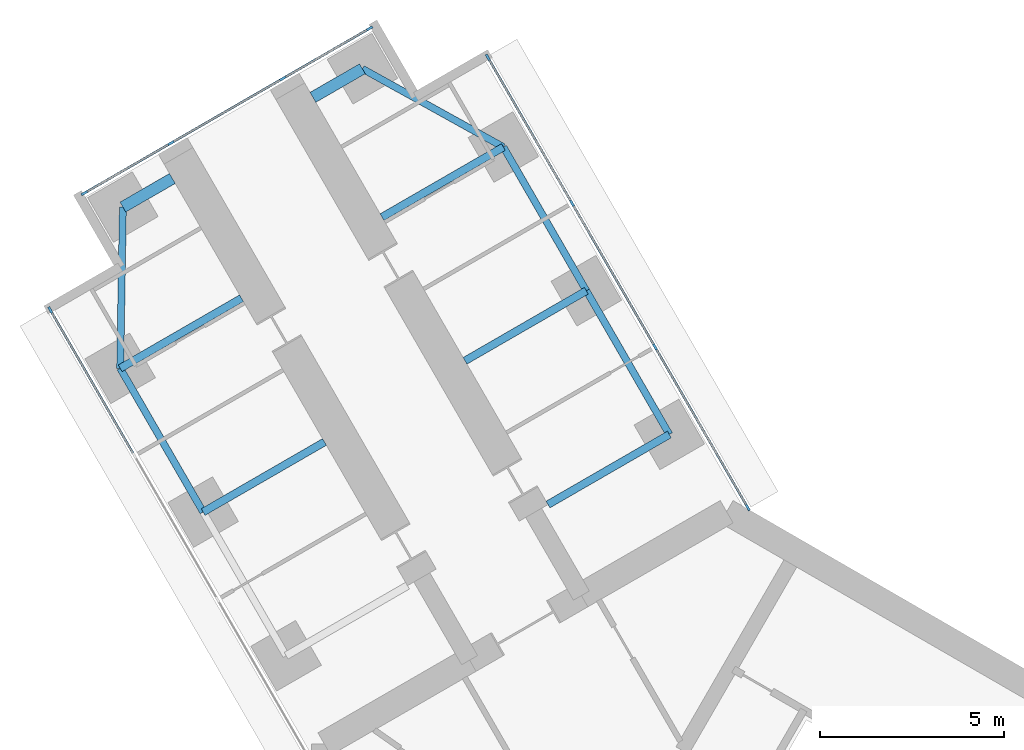
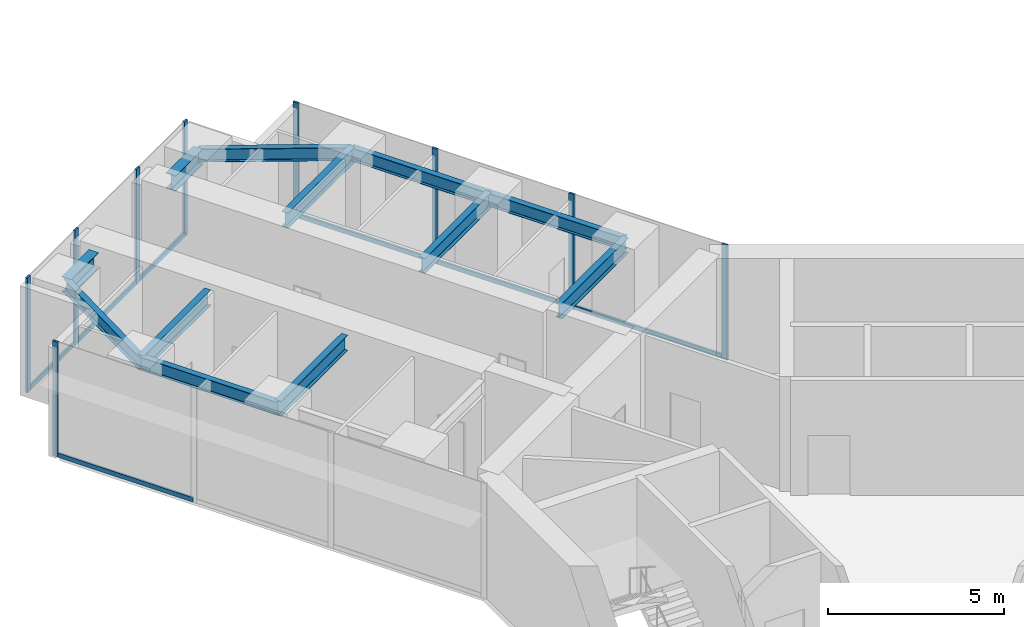
# One storey, part 7 of 25: 16 members, 12 beams, 3 elements without a shape of their own.
"""IFC4 building model written with IfcOpenShell, lengths in metres."""

from ifc_helpers import new_model, si_unit, direction, frame, origin, origin_2d, place, context, subcontext, project, spatial, rectangle, i_section, extrude, material, material_profile, profile_set, type_object, element, aggregate, save


model = new_model("IFC4")

# Units and contexts
model_context = context("Model", 3, precision=1e-05, world=origin(), true_north=direction((0.0, 1.0)))
body_context = subcontext(model_context, "Body", "Model", "MODEL_VIEW")
ifc_project = project(units=[si_unit("LENGTHUNIT", "METRE"), si_unit("AREAUNIT", "SQUARE_METRE"), si_unit("VOLUMEUNIT", "CUBIC_METRE"), si_unit("PLANEANGLEUNIT", "RADIAN"), si_unit("MASSUNIT", "GRAM", prefix="KILO")], contexts=[model_context])

# Site, building, storey
site_placement = place(None, origin())
site = spatial("IfcSite", under=ifc_project, at=site_placement, CompositionType="ELEMENT")
building_placement = place(site_placement, origin())
building = spatial("IfcBuilding", under=site, at=building_placement, Name="Upepo Twin Towers", CompositionType="ELEMENT")
storey_placement = place(building_placement, frame((0.0, 0.0, 84.5)))
storey = spatial("IfcBuildingStorey", under=building, at=storey_placement, Name="L20", CompositionType="ELEMENT", Elevation=84.5)

# Beams
ifc_material_1 = material(Name="Steel S355", Category="steel")
ifc_material_profile_1 = material_profile(ifc_material_1, i_section(OverallWidth=0.1904296875, OverallDepth=0.45703125, WebThickness=0.009033203125, FlangeThickness=0.014404296875, FilletRadius=0.01025390625, at=origin_2d()), Name="UB 457x191x74")
ifc_profile_set_1 = profile_set([ifc_material_profile_1], Name="Steel S355")
beam_type_1 = type_object("IfcBeamType", Name="Beam UB 457x191x74", PredefinedType="BEAM", material=ifc_profile_set_1)
beam_1_placement = place(storey_placement, frame((-14.196044921875, 12.58837890625, 3.571533203125), z_axis=(-0.499990139034, 0.866031096941, 0.0), x_axis=(-0.866031096941, -0.499990139034, 0.0)))
element("IfcBeam", 1, at=beam_1_placement, inside=storey, type_object=beam_type_1, Name="T1 edge beam BL 18.0-22.5", PredefinedType="BEAM", context=body_context, shape_type="SweptSolid", body=[
    extrude(i_section(OverallWidth=0.1904296875, OverallDepth=0.45703125, WebThickness=0.009033203125, FlangeThickness=0.014404296875, FilletRadius=0.01025390625, at=origin_2d()), origin(), (0.0, 0.0, 1.0), 4.5),
])
beam_2_placement = place(storey_placement, frame((-16.446044921875, 16.485595703125, 3.571533203125), z_axis=(0.016803880528, 0.999858804832, 0.0), x_axis=(-0.999858804832, 0.016803880528, 0.0)))
element("IfcBeam", 2, at=beam_2_placement, inside=storey, type_object=beam_type_1, Name="T1 nose edge beam BL", PredefinedType="BEAM", context=body_context, shape_type="SweptSolid", body=[
    extrude(i_section(OverallWidth=0.1904296875, OverallDepth=0.45703125, WebThickness=0.009033203125, FlangeThickness=0.014404296875, FilletRadius=0.01025390625, at=origin_2d()), origin(), (0.0, 0.0, 1.0), 4.373291015625),
])
beam_3_placement = place(storey_placement, frame((-1.553955078125, 14.69140625, 3.571533203125), z_axis=(-0.500013631625, 0.866017533419, 0.0), x_axis=(-0.866017533419, -0.500013631625, 0.0)))
element("IfcBeam", 3, at=beam_3_placement, inside=storey, type_object=beam_type_1, Name="T1 edge beam BR 13.5-18.0", PredefinedType="BEAM", context=body_context, shape_type="SweptSolid", body=[
    extrude(i_section(OverallWidth=0.1904296875, OverallDepth=0.45703125, WebThickness=0.009033203125, FlangeThickness=0.014404296875, FilletRadius=0.01025390625, at=origin_2d()), origin(), (0.0, 0.0, 1.0), 4.499755859375),
])
beam_4_placement = place(storey_placement, frame((-3.803955078125, 18.58837890625, 3.571533203125), z_axis=(-0.499990139034, 0.866031096941, 0.0), x_axis=(-0.866031096941, -0.499990139034, 0.0)))
element("IfcBeam", 4, at=beam_4_placement, inside=storey, type_object=beam_type_1, Name="T1 edge beam BR 18.0-22.5", PredefinedType="BEAM", context=body_context, shape_type="SweptSolid", body=[
    extrude(i_section(OverallWidth=0.1904296875, OverallDepth=0.45703125, WebThickness=0.009033203125, FlangeThickness=0.014404296875, FilletRadius=0.01025390625, at=origin_2d()), origin(), (0.0, 0.0, 1.0), 4.5),
])
beam_5_placement = place(storey_placement, frame((-6.053955078125, 22.485595703125, 3.571533203125), z_axis=(-0.874312600038, 0.485363242752, 0.0), x_axis=(-0.485363242752, -0.874312600038, 0.0)))
element("IfcBeam", 5, at=beam_5_placement, inside=storey, type_object=beam_type_1, Name="T1 nose edge beam BR", PredefinedType="BEAM", context=body_context, shape_type="SweptSolid", body=[
    extrude(i_section(OverallWidth=0.1904296875, OverallDepth=0.45703125, WebThickness=0.009033203125, FlangeThickness=0.014404296875, FilletRadius=0.01025390625, at=origin_2d()), origin(), (0.0, 0.0, 1.0), 4.373046875),
])
ifc_material_2 = material(Name="Steel S355", Category="steel")
ifc_material_profile_2 = material_profile(ifc_material_2, i_section(OverallWidth=0.209228515625, OverallDepth=0.533203125, WebThickness=0.010009765625, FlangeThickness=0.015625, FilletRadius=0.0126953125, at=origin_2d()), Name="UB 533x210x92")
ifc_profile_set_2 = profile_set([ifc_material_profile_2], Name="Steel S355")
beam_type_2 = type_object("IfcBeamType", Name="Beam UB 533x210x92", PredefinedType="BEAM", material=ifc_profile_set_2)
beam_6_placement = place(storey_placement, frame((-14.196044921875, 12.58837890625, 3.533447265625), z_axis=(0.866000483506, 0.500043160704, 0.0), x_axis=(-0.500043160704, 0.866000483506, 0.0)))
element("IfcBeam", 6, at=beam_6_placement, inside=storey, type_object=beam_type_2, Name="T1 girder BL at 18.0", PredefinedType="BEAM", context=body_context, shape_type="SweptSolid", body=[
    extrude(i_section(OverallWidth=0.209228515625, OverallDepth=0.533203125, WebThickness=0.010009765625, FlangeThickness=0.015625, FilletRadius=0.0126953125, at=origin_2d()), origin(), (0.0, 0.0, 1.0), 3.800048828125),
])
beam_7_placement = place(storey_placement, frame((-16.446044921875, 16.485595703125, 3.533447265625), z_axis=(0.866028304915, 0.499994975061, 0.0), x_axis=(-0.499994975061, 0.866028304915, 0.0)))
element("IfcBeam", 7, at=beam_7_placement, inside=storey, type_object=beam_type_2, Name="T1 girder BL at 22.5", PredefinedType="BEAM", context=body_context, shape_type="SweptSolid", body=[
    extrude(i_section(OverallWidth=0.209228515625, OverallDepth=0.533203125, WebThickness=0.010009765625, FlangeThickness=0.015625, FilletRadius=0.0126953125, at=origin_2d()), origin(), (0.0, 0.0, 1.0), 3.7998046875),
])
beam_8_placement = place(storey_placement, frame((-1.553955078125, 14.69140625, 3.533447265625), z_axis=(-0.866000483506, -0.500043160704, 0.0), x_axis=(0.500043160704, -0.866000483506, 0.0)))
element("IfcBeam", 8, at=beam_8_placement, inside=storey, type_object=beam_type_2, Name="T1 girder BR at 13.5", PredefinedType="BEAM", context=body_context, shape_type="SweptSolid", body=[
    extrude(i_section(OverallWidth=0.209228515625, OverallDepth=0.533203125, WebThickness=0.010009765625, FlangeThickness=0.015625, FilletRadius=0.0126953125, at=origin_2d()), origin(), (0.0, 0.0, 1.0), 3.800048828125),
])
for number, where, z_axis, x_axis, name in (
    (9, (-3.803955078125, 18.58837890625, 3.533447265625), (-0.866028304915, -0.499994975061, 0.0), (0.499994975061, -0.866028304915, 0.0), "T1 girder BR at 18.0"),
    (10, (-6.053955078125, 22.485595703125, 3.533447265625), (-0.866028304915, -0.499994975061, 0.0), (0.499994975061, -0.866028304915, 0.0), "T1 girder BR at 22.5"),
):
    element("IfcBeam", number, at=place(storey_placement, frame(where, z_axis=z_axis, x_axis=x_axis)), inside=storey, type_object=beam_type_2, Name=name, PredefinedType="BEAM", context=body_context, shape_type="SweptSolid", body=[
        extrude(i_section(OverallWidth=0.209228515625, OverallDepth=0.533203125, WebThickness=0.010009765625, FlangeThickness=0.015625, FilletRadius=0.0126953125, at=origin_2d()), origin(), (0.0, 0.0, 1.0), 3.7998046875),
    ])
ifc_material_3 = material(Name="Steel S355", Category="steel")
ifc_material_profile_3 = material_profile(ifc_material_3, i_section(OverallWidth=0.31201171875, OverallDepth=0.54345703125, WebThickness=0.0126953125, FlangeThickness=0.020263671875, FilletRadius=0.0126953125, at=origin_2d()), Name="UB 533x312x150")
ifc_profile_set_3 = profile_set([ifc_material_profile_3], Name="Steel S355")
beam_type_3 = type_object("IfcBeamType", Name="Beam UB 533x312x150", PredefinedType="BEAM", material=ifc_profile_set_3)
for number, where, z_axis, x_axis, name in (
    (11, (-16.37255859375, 20.858154296875, 3.5283203125), (0.866043940782, 0.499967891604, 0.0), (-0.499967891604, 0.866043940782, 0.0), "T1 nose beam BL"),
    (12, (-9.87744140625, 24.608154296875, 3.5283203125), (-0.866043940782, -0.499967891604, 0.0), (0.499967891604, -0.866043940782, 0.0), "T1 nose beam BR"),
):
    element("IfcBeam", number, at=place(storey_placement, frame(where, z_axis=z_axis, x_axis=x_axis)), inside=storey, type_object=beam_type_3, Name=name, PredefinedType="BEAM", context=body_context, shape_type="SweptSolid", body=[
        extrude(i_section(OverallWidth=0.31201171875, OverallDepth=0.54345703125, WebThickness=0.0126953125, FlangeThickness=0.020263671875, FilletRadius=0.0126953125, at=origin_2d()), origin(), (0.0, 0.0, 1.0), 1.5498046875),
    ])

# Curtain wall, member
ifc_material_4 = material(Name="Aluminium and fritted glass", Category="aluminium")
curtain_wall_type = type_object("IfcCurtainWallType", Name="Tower curtain wall TW1, fritted glass", PredefinedType="NOTDEFINED", material=ifc_material_4)
curtain_wall_1_placement = place(storey_placement, origin())
curtain_wall_1 = element("IfcCurtainWall", 13, at=curtain_wall_1_placement, inside=storey, type_object=curtain_wall_type, Name="T1 L20 wing B flank L curtain wall", PredefinedType="NOTDEFINED")
ifc_material_5 = material(Name="Aluminium mullion", Category="aluminium")
ifc_material_profile_4 = material_profile(ifc_material_5, rectangle(XDim=0.06494140625, YDim=0.179931640625, at=origin_2d()), Name="MULLION 65x180")
ifc_profile_set_4 = profile_set([ifc_material_profile_4], Name="Aluminium mullion")
member_type_1 = type_object("IfcMemberType", Name="Mullion 65x180 TW1", PredefinedType="MULLION", material=ifc_profile_set_4)
member_1_placement = place(storey_placement, frame((-18.341064453125, 18.067626953125, 0.0), z_axis=(0.0, 0.0, 1.0), x_axis=(-0.866025389682, -0.500000024426, 0.0)))
member_1 = element("IfcMember", 14, at=member_1_placement, type_object=member_type_1, Name="T1 L20 wing B flank L curtain wall mullion 4", PredefinedType="MULLION", context=body_context, shape_type="SweptSolid", body=[
    extrude(rectangle(XDim=0.06494140625, YDim=0.179931640625, at=origin_2d()), origin(), (0.0, 0.0, 1.0), 4.0),
])

# Curtain wall, members
curtain_wall_2_placement = place(storey_placement, origin())
curtain_wall_2 = element("IfcCurtainWall", 15, at=curtain_wall_2_placement, inside=storey, type_object=curtain_wall_type, Name="T1 L20 wing B flank R curtain wall", PredefinedType="NOTDEFINED")
member_2_placement = place(storey_placement, frame((-6.4765625, 24.91748046875, 0.0), z_axis=(0.0, 0.0, 1.0), x_axis=(0.866025389682, 0.500000024426, 0.0)))
member_2 = element("IfcMember", 16, at=member_2_placement, type_object=member_type_1, Name="T1 L20 wing B flank R curtain wall mullion 1", PredefinedType="MULLION", context=body_context, shape_type="SweptSolid", body=[
    extrude(rectangle(XDim=0.06494140625, YDim=0.179931640625, at=origin_2d()), origin(), (0.0, 0.0, 1.0), 4.0),
])
member_3_placement = place(storey_placement, frame((-4.192626953125, 20.9619140625, 0.0), z_axis=(0.0, 0.0, 1.0), x_axis=(0.866025389682, 0.500000024426, 0.0)))
member_3 = element("IfcMember", 17, at=member_3_placement, type_object=member_type_1, Name="T1 L20 wing B flank R curtain wall mullion 2", PredefinedType="MULLION", context=body_context, shape_type="SweptSolid", body=[
    extrude(rectangle(XDim=0.06494140625, YDim=0.179931640625, at=origin_2d()), origin(), (0.0, 0.0, 1.0), 4.0),
])
member_4_placement = place(storey_placement, frame((-1.942626953125, 17.06494140625, 0.0), z_axis=(0.0, 0.0, 1.0), x_axis=(0.866025389682, 0.500000024426, 0.0)))
member_4 = element("IfcMember", 18, at=member_4_placement, type_object=member_type_1, Name="T1 L20 wing B flank R curtain wall mullion 3", PredefinedType="MULLION", context=body_context, shape_type="SweptSolid", body=[
    extrude(rectangle(XDim=0.06494140625, YDim=0.179931640625, at=origin_2d()), origin(), (0.0, 0.0, 1.0), 4.0),
])
member_5_placement = place(storey_placement, frame((0.572509765625, 12.70849609375, 0.0), z_axis=(0.0, 0.0, 1.0), x_axis=(0.866025389682, 0.500000024426, 0.0)))
member_5 = element("IfcMember", 19, at=member_5_placement, type_object=member_type_1, Name="T1 L20 wing B flank R curtain wall mullion 4", PredefinedType="MULLION", context=body_context, shape_type="SweptSolid", body=[
    extrude(rectangle(XDim=0.06494140625, YDim=0.179931640625, at=origin_2d()), origin(), (0.0, 0.0, 1.0), 4.0),
])

curtain_wall_3_placement = place(storey_placement, origin())
curtain_wall_3 = element("IfcCurtainWall", 20, at=curtain_wall_3_placement, inside=storey, type_object=curtain_wall_type, Name="T1 L20 wing B nose curtain wall", PredefinedType="NOTDEFINED")
member_6_placement = place(storey_placement, frame((-9.68115234375, 25.703125, 0.0), z_axis=(0.0, 0.0, 1.0), x_axis=(0.500000030502, -0.866025386174, 0.0)))
member_6 = element("IfcMember", 21, at=member_6_placement, type_object=member_type_1, Name="T1 L20 wing B nose curtain wall mullion 1", PredefinedType="MULLION", context=body_context, shape_type="SweptSolid", body=[
    extrude(rectangle(XDim=0.06494140625, YDim=0.179931640625, at=origin_2d()), origin(), (0.0, 0.0, 1.0), 4.0),
])
member_7_placement = place(storey_placement, frame((-12.034423828125, 24.34423828125, 0.0), z_axis=(0.0, 0.0, 1.0), x_axis=(0.500000030502, -0.866025386174, 0.0)))
member_7 = element("IfcMember", 22, at=member_7_placement, type_object=member_type_1, Name="T1 L20 wing B nose curtain wall mullion 2", PredefinedType="MULLION", context=body_context, shape_type="SweptSolid", body=[
    extrude(rectangle(XDim=0.06494140625, YDim=0.179931640625, at=origin_2d()), origin(), (0.0, 0.0, 1.0), 4.0),
])
member_8_placement = place(storey_placement, frame((-15.0654296875, 22.59423828125, 0.0), z_axis=(0.0, 0.0, 1.0), x_axis=(0.500000030502, -0.866025386174, 0.0)))
member_8 = element("IfcMember", 23, at=member_8_placement, type_object=member_type_1, Name="T1 L20 wing B nose curtain wall mullion 3", PredefinedType="MULLION", context=body_context, shape_type="SweptSolid", body=[
    extrude(rectangle(XDim=0.06494140625, YDim=0.179931640625, at=origin_2d()), origin(), (0.0, 0.0, 1.0), 4.0),
])
member_9_placement = place(storey_placement, frame((-17.4189453125, 21.235595703125, 0.0), z_axis=(0.0, 0.0, 1.0), x_axis=(0.500000030502, -0.866025386174, 0.0)))
member_9 = element("IfcMember", 24, at=member_9_placement, type_object=member_type_1, Name="T1 L20 wing B nose curtain wall mullion 4", PredefinedType="MULLION", context=body_context, shape_type="SweptSolid", body=[
    extrude(rectangle(XDim=0.06494140625, YDim=0.179931640625, at=origin_2d()), origin(), (0.0, 0.0, 1.0), 4.0),
])

# Member
ifc_material_6 = material(Name="Aluminium transom", Category="aluminium")
ifc_material_profile_5 = material_profile(ifc_material_6, rectangle(XDim=0.06494140625, YDim=0.14990234375, at=origin_2d()), Name="TRANSOM 65x150")
ifc_profile_set_5 = profile_set([ifc_material_profile_5], Name="Aluminium transom")
member_type_2 = type_object("IfcMemberType", Name="Transom 65x150 TW1", PredefinedType="USERDEFINED", material=ifc_profile_set_5)
member_10_placement = place(storey_placement, frame((-16.073486328125, 14.14013671875, 0.074951171875), z_axis=(-0.499982167615, 0.866035699072, 0.0), x_axis=(-0.866035699072, -0.499982167615, 0.0)))
member_10 = element("IfcMember", 25, at=member_10_placement, type_object=member_type_2, Name="T1 L20 wing B flank L curtain wall transom 3", ObjectType="TRANSOM", PredefinedType="USERDEFINED", context=body_context, shape_type="SweptSolid", body=[
    extrude(rectangle(XDim=0.06494140625, YDim=0.14990234375, at=origin_2d()), origin(), (0.0, 0.0, 1.0), 4.502685546875),
])

aggregate(curtain_wall_1, [member_1, member_10])

member_11_placement = place(storey_placement, frame((-6.460205078125, 24.889404296875, 0.074951171875), z_axis=(0.500005646842, -0.866022143554, 0.0), x_axis=(0.866022143554, 0.500005646842, 0.0)))
member_11 = element("IfcMember", 26, at=member_11_placement, type_object=member_type_2, Name="T1 L20 wing B flank R curtain wall transom 1", ObjectType="TRANSOM", PredefinedType="USERDEFINED", context=body_context, shape_type="SweptSolid", body=[
    extrude(rectangle(XDim=0.06494140625, YDim=0.14990234375, at=origin_2d()), origin(), (0.0, 0.0, 1.0), 4.50244140625),
])

member_12_placement = place(storey_placement, frame((-4.176513671875, 20.933837890625, 0.074951171875), z_axis=(0.500005184116, -0.866022410713, 0.0), x_axis=(0.866022410713, 0.500005184116, 0.0)))
member_12 = element("IfcMember", 27, at=member_12_placement, type_object=member_type_2, Name="T1 L20 wing B flank R curtain wall transom 2", ObjectType="TRANSOM", PredefinedType="USERDEFINED", context=body_context, shape_type="SweptSolid", body=[
    extrude(rectangle(XDim=0.06494140625, YDim=0.14990234375, at=origin_2d()), origin(), (0.0, 0.0, 1.0), 4.43505859375),
])

member_13_placement = place(storey_placement, frame((-1.926513671875, 17.036865234375, 0.074951171875), z_axis=(0.499983492876, -0.866034933967, 0.0), x_axis=(0.866034933967, 0.499983492876, 0.0)))
member_13 = element("IfcMember", 28, at=member_13_placement, type_object=member_type_2, Name="T1 L20 wing B flank R curtain wall transom 3", ObjectType="TRANSOM", PredefinedType="USERDEFINED", context=body_context, shape_type="SweptSolid", body=[
    extrude(rectangle(XDim=0.06494140625, YDim=0.14990234375, at=origin_2d()), origin(), (0.0, 0.0, 1.0), 4.965576171875),
])

aggregate(curtain_wall_2, [member_2, member_3, member_4, member_5, member_11, member_12, member_13])

member_14_placement = place(storey_placement, frame((-9.709228515625, 25.686767578125, 0.074951171875), z_axis=(-0.866036909293, -0.499980071345, 0.0), x_axis=(0.499980071345, -0.866036909293, 0.0)))
member_14 = element("IfcMember", 29, at=member_14_placement, type_object=member_type_2, Name="T1 L20 wing B nose curtain wall transom 1", ObjectType="TRANSOM", PredefinedType="USERDEFINED", context=body_context, shape_type="SweptSolid", body=[
    extrude(rectangle(XDim=0.06494140625, YDim=0.14990234375, at=origin_2d()), origin(), (0.0, 0.0, 1.0), 2.65234375),
])

member_15_placement = place(storey_placement, frame((-12.0625, 24.328125, 0.074951171875), z_axis=(-0.866025804792, -0.499999305434, 0.0), x_axis=(0.499999305434, -0.866025804792, 0.0)))
member_15 = element("IfcMember", 30, at=member_15_placement, type_object=member_type_2, Name="T1 L20 wing B nose curtain wall transom 2", ObjectType="TRANSOM", PredefinedType="USERDEFINED", context=body_context, shape_type="SweptSolid", body=[
    extrude(rectangle(XDim=0.06494140625, YDim=0.14990234375, at=origin_2d()), origin(), (0.0, 0.0, 1.0), 3.43505859375),
])

member_16_placement = place(storey_placement, frame((-15.09375, 22.578125, 0.074951171875), z_axis=(-0.865997053448, -0.500049101008, 0.0), x_axis=(0.500049101008, -0.865997053448, 0.0)))
member_16 = element("IfcMember", 31, at=member_16_placement, type_object=member_type_2, Name="T1 L20 wing B nose curtain wall transom 3", ObjectType="TRANSOM", PredefinedType="USERDEFINED", context=body_context, shape_type="SweptSolid", body=[
    extrude(rectangle(XDim=0.06494140625, YDim=0.14990234375, at=origin_2d()), origin(), (0.0, 0.0, 1.0), 2.652587890625),
])

aggregate(curtain_wall_3, [member_6, member_7, member_8, member_9, member_14, member_15, member_16])

save(model, "model.ifc")
